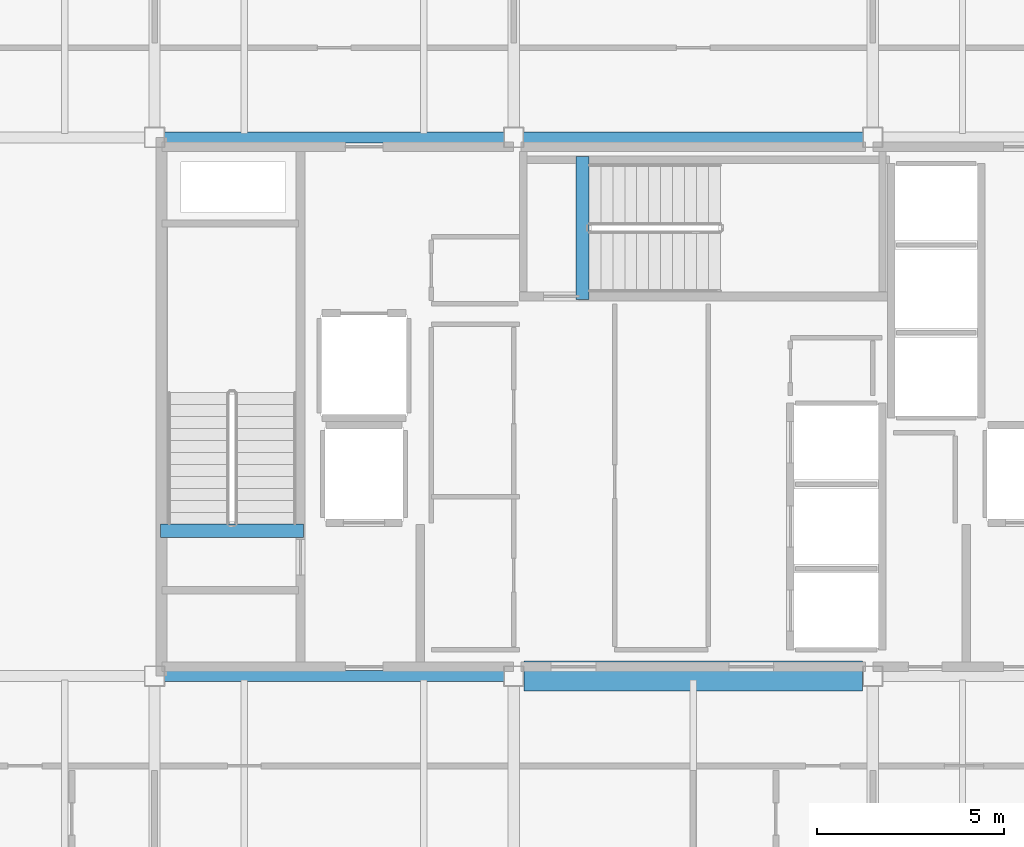
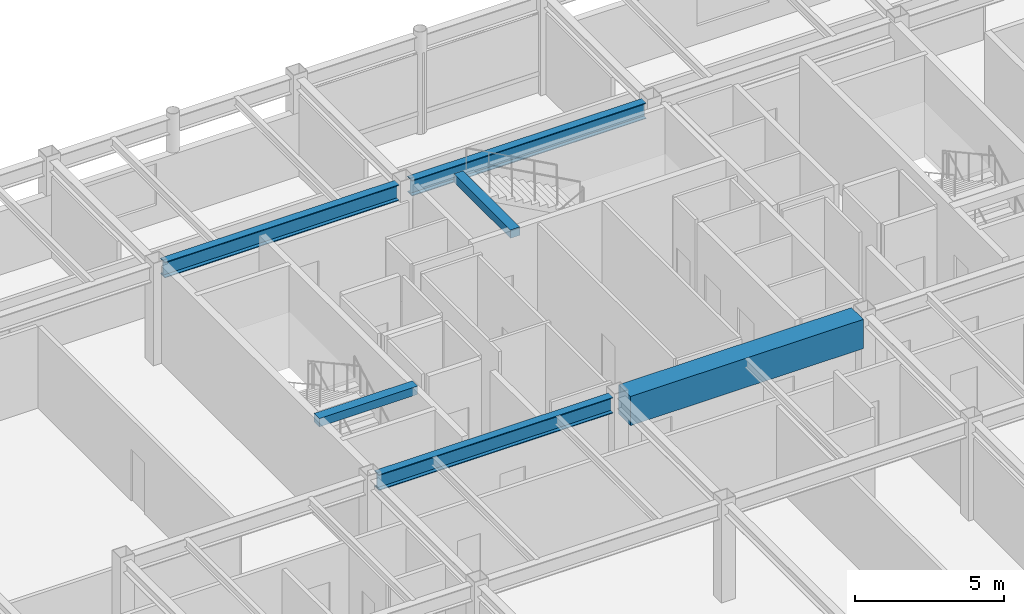
# One storey, part 8 of 21: 6 beams.
"""IFC4 building model written with IfcOpenShell, lengths in metres."""

from ifc_helpers import new_model, si_unit, direction, frame, origin, origin_2d, place, context, subcontext, project, spatial, rectangle, i_section, extrude, material, material_profile, profile_set, type_object, element, save


model = new_model("IFC4")

# Units and contexts
model_context = context("Model", 3, precision=1e-05, world=origin(), true_north=direction((0.0, 1.0)))
body_context = subcontext(model_context, "Body", "Model", "MODEL_VIEW")
ifc_project = project(units=[si_unit("LENGTHUNIT", "METRE"), si_unit("AREAUNIT", "SQUARE_METRE"), si_unit("VOLUMEUNIT", "CUBIC_METRE"), si_unit("PLANEANGLEUNIT", "RADIAN"), si_unit("MASSUNIT", "GRAM", prefix="KILO")], contexts=[model_context])

# Site, building, storey
site_placement = place(None, origin())
site = spatial("IfcSite", under=ifc_project, at=site_placement, CompositionType="ELEMENT")
building_placement = place(site_placement, origin())
building = spatial("IfcBuilding", under=site, at=building_placement, Name="Kallvorn Hotel Tower", CompositionType="ELEMENT")
storey_placement = place(building_placement, frame((0.0, 0.0, 286.39990234375)))
storey = spatial("IfcBuildingStorey", under=building, at=storey_placement, Name="L71", CompositionType="ELEMENT", Elevation=286.39990234375)

# Beams
ifc_material_1 = material(Name="Structural steel S355JR", Category="steel")
ifc_material_profile_1 = material_profile(ifc_material_1, i_section(OverallWidth=0.300048828125, OverallDepth=0.64990234375, WebThickness=0.01611328125, FlangeThickness=0.031005859375, at=origin_2d()), Name="HE 650 B")
ifc_profile_set_1 = profile_set([ifc_material_profile_1], Name="Structural steel S355JR")
beam_type_1 = type_object("IfcBeamType", Name="BM_HE650B", PredefinedType="BEAM", material=ifc_profile_set_1)
for number, where, z_axis, x_axis, name in (
    (1, (-14.14990234375, -7.199951171875, 3.675048828125), (1.0, 0.0, 0.0), (0.0, 1.0, 0.0), "L72 Primary X-Girder 08"),
    (2, (-14.14990234375, 7.199951171875, 3.675048828125), (1.0, 0.0, 0.0), (0.0, 1.0, 0.0), "L72 Primary X-Girder 12"),
):
    element("IfcBeam", number, at=place(storey_placement, frame(where, z_axis=z_axis, x_axis=x_axis)), inside=storey, type_object=beam_type_1, Name=name, PredefinedType="BEAM", context=body_context, shape_type="SweptSolid", body=[
        extrude(i_section(OverallWidth=0.300048828125, OverallDepth=0.64990234375, WebThickness=0.01611328125, FlangeThickness=0.031005859375, at=origin_2d()), origin(), (0.0, 0.0, 1.0), 9.099853515625),
    ])
beam_1_placement = place(storey_placement, frame((-4.550048828125, 7.199951171875, 3.675048828125), z_axis=(1.0, 0.0, 0.0), x_axis=(0.0, 1.0, 0.0)))
element("IfcBeam", 3, at=beam_1_placement, inside=storey, type_object=beam_type_1, Name="L72 Primary X-Girder 13", PredefinedType="BEAM", context=body_context, shape_type="SweptSolid", body=[
    extrude(i_section(OverallWidth=0.300048828125, OverallDepth=0.64990234375, WebThickness=0.01611328125, FlangeThickness=0.031005859375, at=origin_2d()), origin(), (0.0, 0.0, 1.0), 9.10009765625),
])
ifc_material_2 = material(Name="Concrete C50/60", Category="concrete")
ifc_material_profile_2 = material_profile(ifc_material_2, rectangle(XDim=0.360107421875, YDim=0.340087890625, at=origin_2d()), Name="RC 360x340")
ifc_profile_set_2 = profile_set([ifc_material_profile_2], Name="Concrete C50/60")
beam_type_2 = type_object("IfcBeamType", Name="BM_RC_400x360", PredefinedType="BEAM", material=ifc_profile_set_2)
beam_2_placement = place(storey_placement, frame((-10.419921875, -3.31005859375, 3.830078125), z_axis=(-1.0, 0.0, 0.0), x_axis=(0.0, -1.0, 0.0)))
element("IfcBeam", 4, at=beam_2_placement, inside=storey, type_object=beam_type_2, Name="L72 Stair ST1 Arrival Trimmer Beam", PredefinedType="BEAM", context=body_context, shape_type="SweptSolid", body=[
    extrude(rectangle(XDim=0.360107421875, YDim=0.340087890625, at=origin_2d()), origin(), (0.0, 0.0, 1.0), 3.820068359375),
])
beam_3_placement = place(storey_placement, frame((-2.9599609375, 2.8701171875, 3.830078125), z_axis=(0.0, 1.0, 0.0), x_axis=(-1.0, 0.0, 0.0)))
element("IfcBeam", 5, at=beam_3_placement, inside=storey, type_object=beam_type_2, Name="L72 Stair ST3 Arrival Trimmer Beam", PredefinedType="BEAM", context=body_context, shape_type="SweptSolid", body=[
    extrude(rectangle(XDim=0.360107421875, YDim=0.340087890625, at=origin_2d()), origin(), (0.0, 0.0, 1.0), 3.81982421875),
])
ifc_material_3 = material(Name="Concrete C50/60", Category="concrete")
ifc_material_profile_3 = material_profile(ifc_material_3, rectangle(XDim=0.800048828125, YDim=1.199951171875, at=origin_2d()), Name="RC 800x1200")
ifc_profile_set_3 = profile_set([ifc_material_profile_3], Name="Concrete C50/60")
beam_type_3 = type_object("IfcBeamType", Name="BM_RC_800x1200", PredefinedType="T_BEAM", material=ifc_profile_set_3)
beam_4_placement = place(storey_placement, frame((-4.52490234375, -7.199951171875, 3.400146484375), z_axis=(1.0, 0.0, 0.0), x_axis=(0.0, 1.0, 0.0)))
element("IfcBeam", 6, at=beam_4_placement, inside=storey, type_object=beam_type_3, Name="L71 Core Coupling Beam South", PredefinedType="T_BEAM", context=body_context, shape_type="SweptSolid", body=[
    extrude(rectangle(XDim=0.800048828125, YDim=1.199951171875, at=origin_2d()), origin(), (0.0, 0.0, 1.0), 9.0498046875),
])

save(model, "model.ifc")
